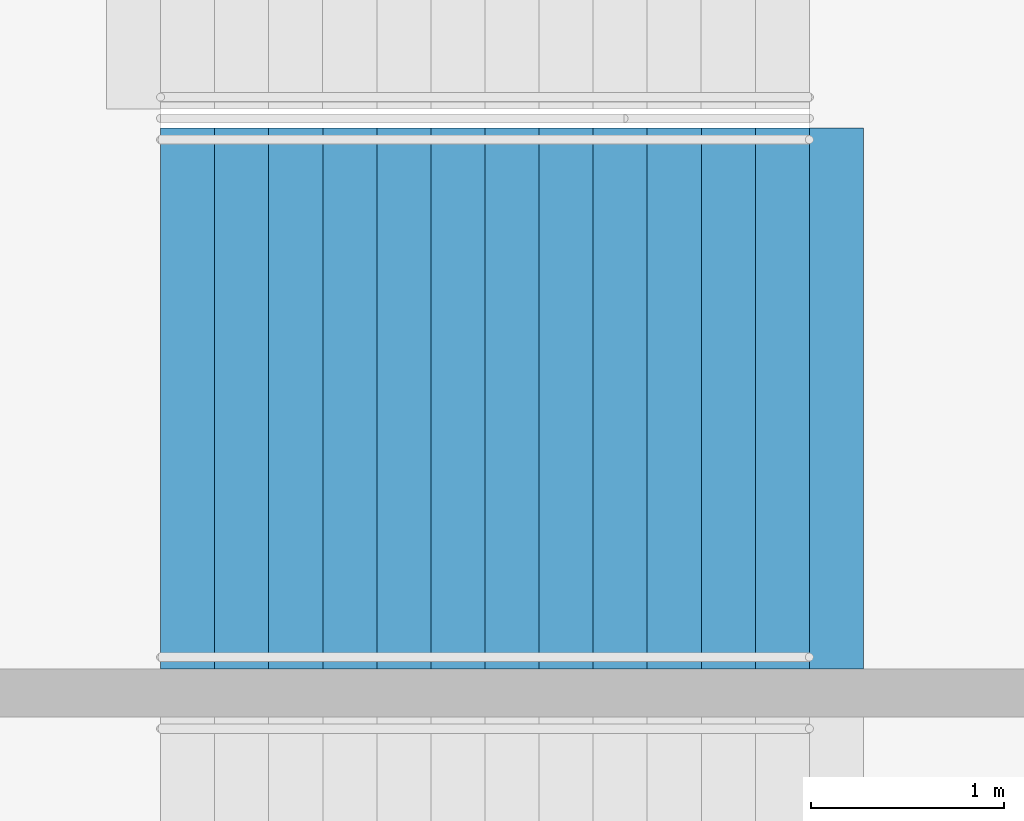
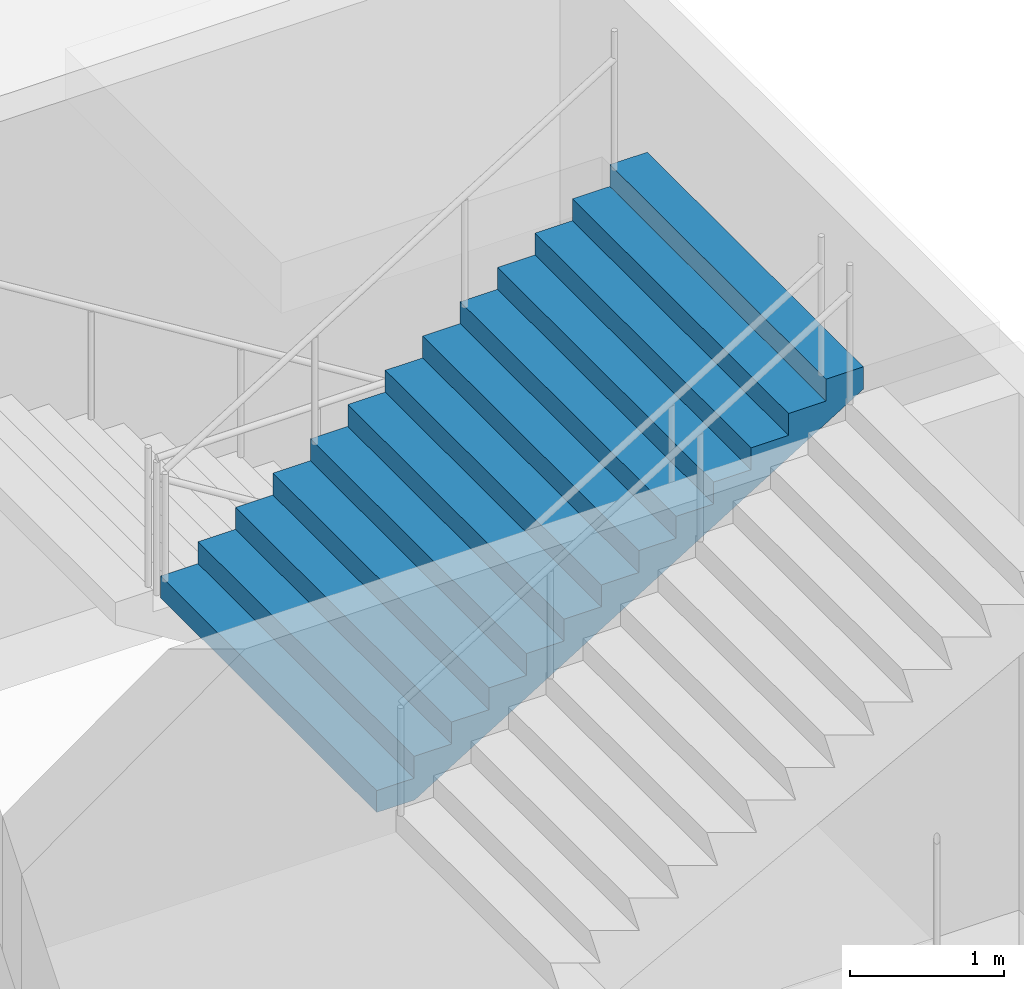
# One storey, part 106 of 177: 1 stair flight, 1 element without a shape of its own.
"""IFC4 building model written with IfcOpenShell, lengths in metres."""

from ifc_helpers import new_model, si_unit, direction, frame, origin, place, context, subcontext, project, spatial, faceted_brep, material, type_object, element, aggregate, save


model = new_model("IFC4")

# Units and contexts
model_context = context("Model", 3, precision=1e-05, world=origin(), true_north=direction((0.0, 1.0)))
body_context = subcontext(model_context, "Body", "Model", "MODEL_VIEW")
ifc_project = project(units=[si_unit("LENGTHUNIT", "METRE"), si_unit("AREAUNIT", "SQUARE_METRE"), si_unit("VOLUMEUNIT", "CUBIC_METRE"), si_unit("PLANEANGLEUNIT", "RADIAN"), si_unit("MASSUNIT", "GRAM", prefix="KILO")], contexts=[model_context])

# Site, building, storey
site_placement = place(None, origin())
site = spatial("IfcSite", under=ifc_project, at=site_placement, CompositionType="ELEMENT")
building_placement = place(site_placement, origin())
building = spatial("IfcBuilding", under=site, at=building_placement, Name="Ogive Plaza Stadium", CompositionType="ELEMENT")
storey_placement = place(building_placement, frame((0.0, 0.0, 18.0)))
storey = spatial("IfcBuildingStorey", under=building, at=storey_placement, Name="L04", CompositionType="ELEMENT", Elevation=18.0)

# Stair, stair flight
ifc_material_1 = material(Name="Concrete C40/50", Category="concrete")
stair_type = type_object("IfcStairType", Name="Exit stair", PredefinedType="STRAIGHT_RUN_STAIR", material=ifc_material_1)
stair_placement = place(storey_placement, origin())
stair = element("IfcStair", 1, at=stair_placement, inside=storey, type_object=stair_type, Name="Exit stair ST22A L04 to L05", PredefinedType="STRAIGHT_RUN_STAIR")
ifc_material_2 = material(Name="Concrete C40/50", Category="concrete")
stair_flight_type = type_object("IfcStairFlightType", Name="Exit stair flight", PredefinedType="STRAIGHT", material=ifc_material_2)
stair_flight_placement = place(storey_placement, frame((-79.7099609375, -35.97509765625, 2.25), z_axis=(0.0, 0.0, 1.0), x_axis=(1.0, 0.0, 0.0)))
stair_flight = element("IfcStairFlight", 2, at=stair_flight_placement, type_object=stair_flight_type, Name="ST22A flight 2", NumberOfRisers=13, NumberOfTreads=12, PredefinedType="STRAIGHT", RiserHeight=0.173076923, TreadLength=0.28, context=body_context, shape_type="Brep", body=[
    faceted_brep([(0.28515625, -1.39990234375, 0.0), (3.639892578125, -1.39990234375, 2.07373046875), (3.639892578125, -1.39990234375, 2.25), (3.360107421875, -1.39990234375, 2.25), (3.360107421875, -1.39990234375, 2.076904296875), (3.080078125, -1.39990234375, 2.076904296875), (3.080078125, -1.39990234375, 1.90380859375), (2.800048828125, -1.39990234375, 1.90380859375), (2.800048828125, -1.39990234375, 1.730712890625), (2.52001953125, -1.39990234375, 1.730712890625), (2.52001953125, -1.39990234375, 1.5576171875), (2.239990234375, -1.39990234375, 1.5576171875), (2.239990234375, -1.39990234375, 1.384521484375), (1.9599609375, -1.39990234375, 1.384521484375), (1.9599609375, -1.39990234375, 1.21142578125), (1.679931640625, -1.39990234375, 1.21142578125), (1.679931640625, -1.39990234375, 1.03857421875), (1.39990234375, -1.39990234375, 1.03857421875), (1.39990234375, -1.39990234375, 0.865478515625), (1.1201171875, -1.39990234375, 0.865478515625), (1.1201171875, -1.39990234375, 0.6923828125), (0.840087890625, -1.39990234375, 0.6923828125), (0.840087890625, -1.39990234375, 0.519287109375), (0.56005859375, -1.39990234375, 0.519287109375), (0.56005859375, -1.39990234375, 0.34619140625), (0.280029296875, -1.39990234375, 0.34619140625), (0.280029296875, -1.39990234375, 0.173095703125), (0.0, -1.39990234375, 0.173095703125), (0.0, -1.39990234375, 0.0), (0.0, 1.39990234375, 0.0), (0.0, 1.39990234375, 0.173095703125), (0.280029296875, 1.39990234375, 0.173095703125), (0.280029296875, 1.39990234375, 0.34619140625), (0.56005859375, 1.39990234375, 0.34619140625), (0.56005859375, 1.39990234375, 0.519287109375), (0.840087890625, 1.39990234375, 0.519287109375), (0.840087890625, 1.39990234375, 0.6923828125), (1.1201171875, 1.39990234375, 0.6923828125), (1.1201171875, 1.39990234375, 0.865478515625), (1.39990234375, 1.39990234375, 0.865478515625), (1.39990234375, 1.39990234375, 1.03857421875), (1.679931640625, 1.39990234375, 1.03857421875), (1.679931640625, 1.39990234375, 1.21142578125), (1.9599609375, 1.39990234375, 1.21142578125), (1.9599609375, 1.39990234375, 1.384521484375), (2.239990234375, 1.39990234375, 1.384521484375), (2.239990234375, 1.39990234375, 1.5576171875), (2.52001953125, 1.39990234375, 1.5576171875), (2.52001953125, 1.39990234375, 1.730712890625), (2.800048828125, 1.39990234375, 1.730712890625), (2.800048828125, 1.39990234375, 1.90380859375), (3.080078125, 1.39990234375, 1.90380859375), (3.080078125, 1.39990234375, 2.076904296875), (3.360107421875, 1.39990234375, 2.076904296875), (3.360107421875, 1.39990234375, 2.25), (3.639892578125, 1.39990234375, 2.25), (3.639892578125, 1.39990234375, 2.07373046875), (0.28515625, 1.39990234375, 0.0), (0.28515625, -1.0888671875, 0.0), (3.639892578125, -1.0888671875, 2.07373046875), (0.28515625, -0.77783203125, 0.0), (3.639892578125, -0.77783203125, 2.07373046875), (0.28515625, -0.466796875, 0.0), (3.639892578125, -0.466796875, 2.07373046875), (0.28515625, -0.155517578125, 0.0), (3.639892578125, -0.155517578125, 2.07373046875), (0.28515625, 0.155517578125, 0.0), (3.639892578125, 0.155517578125, 2.07373046875), (0.28515625, 0.466796875, 0.0), (3.639892578125, 0.466796875, 2.07373046875), (0.28515625, 0.77783203125, 0.0), (3.639892578125, 0.77783203125, 2.07373046875), (0.28515625, 1.0888671875, 0.0), (3.639892578125, 1.0888671875, 2.07373046875), (3.639892578125, -1.0888671875, 2.25), (3.639892578125, -0.77783203125, 2.25), (3.639892578125, -0.466796875, 2.25), (3.639892578125, -0.155517578125, 2.25), (3.639892578125, 0.155517578125, 2.25), (3.639892578125, 0.466796875, 2.25), (3.639892578125, 0.77783203125, 2.25), (3.639892578125, 1.0888671875, 2.25), (3.360107421875, -1.0888671875, 2.25), (3.360107421875, -0.77783203125, 2.25), (3.360107421875, -0.466796875, 2.25), (3.360107421875, -0.155517578125, 2.25), (3.360107421875, 0.155517578125, 2.25), (3.360107421875, 0.466796875, 2.25), (3.360107421875, 0.77783203125, 2.25), (3.360107421875, 1.0888671875, 2.25), (3.360107421875, -1.0888671875, 2.076904296875), (3.360107421875, -0.77783203125, 2.076904296875), (3.360107421875, -0.466796875, 2.076904296875), (3.360107421875, -0.155517578125, 2.076904296875), (3.360107421875, 0.155517578125, 2.076904296875), (3.360107421875, 0.466796875, 2.076904296875), (3.360107421875, 0.77783203125, 2.076904296875), (3.360107421875, 1.0888671875, 2.076904296875), (3.080078125, -1.0888671875, 2.076904296875), (3.080078125, -0.77783203125, 2.076904296875), (3.080078125, -0.466796875, 2.076904296875), (3.080078125, -0.155517578125, 2.076904296875), (3.080078125, 0.155517578125, 2.076904296875), (3.080078125, 0.466796875, 2.076904296875), (3.080078125, 0.77783203125, 2.076904296875), (3.080078125, 1.0888671875, 2.076904296875), (3.080078125, -1.0888671875, 1.90380859375), (3.080078125, -0.77783203125, 1.90380859375), (3.080078125, -0.466796875, 1.90380859375), (3.080078125, -0.155517578125, 1.90380859375), (3.080078125, 0.155517578125, 1.90380859375), (3.080078125, 0.466796875, 1.90380859375), (3.080078125, 0.77783203125, 1.90380859375), (3.080078125, 1.0888671875, 1.90380859375), (2.800048828125, -1.0888671875, 1.90380859375), (2.800048828125, -0.77783203125, 1.90380859375), (2.800048828125, -0.466796875, 1.90380859375), (2.800048828125, -0.155517578125, 1.90380859375), (2.800048828125, 0.155517578125, 1.90380859375), (2.800048828125, 0.466796875, 1.90380859375), (2.800048828125, 0.77783203125, 1.90380859375), (2.800048828125, 1.0888671875, 1.90380859375), (2.800048828125, -1.0888671875, 1.730712890625), (2.800048828125, -0.77783203125, 1.730712890625), (2.800048828125, -0.466796875, 1.730712890625), (2.800048828125, -0.155517578125, 1.730712890625), (2.800048828125, 0.155517578125, 1.730712890625), (2.800048828125, 0.466796875, 1.730712890625), (2.800048828125, 0.77783203125, 1.730712890625), (2.800048828125, 1.0888671875, 1.730712890625), (2.52001953125, -1.0888671875, 1.730712890625), (2.52001953125, -0.77783203125, 1.730712890625), (2.52001953125, -0.466796875, 1.730712890625), (2.52001953125, -0.155517578125, 1.730712890625), (2.52001953125, 0.155517578125, 1.730712890625), (2.52001953125, 0.466796875, 1.730712890625), (2.52001953125, 0.77783203125, 1.730712890625), (2.52001953125, 1.0888671875, 1.730712890625), (2.52001953125, -1.0888671875, 1.5576171875), (2.52001953125, -0.77783203125, 1.5576171875), (2.52001953125, -0.466796875, 1.5576171875), (2.52001953125, -0.155517578125, 1.5576171875), (2.52001953125, 0.155517578125, 1.5576171875), (2.52001953125, 0.466796875, 1.5576171875), (2.52001953125, 0.77783203125, 1.5576171875), (2.52001953125, 1.0888671875, 1.5576171875), (2.239990234375, -1.0888671875, 1.5576171875), (2.239990234375, -0.77783203125, 1.5576171875), (2.239990234375, -0.466796875, 1.5576171875), (2.239990234375, -0.155517578125, 1.5576171875), (2.239990234375, 0.155517578125, 1.5576171875), (2.239990234375, 0.466796875, 1.5576171875), (2.239990234375, 0.77783203125, 1.5576171875), (2.239990234375, 1.0888671875, 1.5576171875), (2.239990234375, -1.0888671875, 1.384521484375), (2.239990234375, -0.77783203125, 1.384521484375), (2.239990234375, -0.466796875, 1.384521484375), (2.239990234375, -0.155517578125, 1.384521484375), (2.239990234375, 0.155517578125, 1.384521484375), (2.239990234375, 0.466796875, 1.384521484375), (2.239990234375, 0.77783203125, 1.384521484375), (2.239990234375, 1.0888671875, 1.384521484375), (1.9599609375, -1.0888671875, 1.384521484375), (1.9599609375, -0.77783203125, 1.384521484375), (1.9599609375, -0.466796875, 1.384521484375), (1.9599609375, -0.155517578125, 1.384521484375), (1.9599609375, 0.155517578125, 1.384521484375), (1.9599609375, 0.466796875, 1.384521484375), (1.9599609375, 0.77783203125, 1.384521484375), (1.9599609375, 1.0888671875, 1.384521484375), (1.9599609375, -1.0888671875, 1.21142578125), (1.9599609375, -0.77783203125, 1.21142578125), (1.9599609375, -0.466796875, 1.21142578125), (1.9599609375, -0.155517578125, 1.21142578125), (1.9599609375, 0.155517578125, 1.21142578125), (1.9599609375, 0.466796875, 1.21142578125), (1.9599609375, 0.77783203125, 1.21142578125), (1.9599609375, 1.0888671875, 1.21142578125), (1.679931640625, -1.0888671875, 1.21142578125), (1.679931640625, -0.77783203125, 1.21142578125), (1.679931640625, -0.466796875, 1.21142578125), (1.679931640625, -0.155517578125, 1.21142578125), (1.679931640625, 0.155517578125, 1.21142578125), (1.679931640625, 0.466796875, 1.21142578125), (1.679931640625, 0.77783203125, 1.21142578125), (1.679931640625, 1.0888671875, 1.21142578125), (1.679931640625, -1.0888671875, 1.03857421875), (1.679931640625, -0.77783203125, 1.03857421875), (1.679931640625, -0.466796875, 1.03857421875), (1.679931640625, -0.155517578125, 1.03857421875), (1.679931640625, 0.155517578125, 1.03857421875), (1.679931640625, 0.466796875, 1.03857421875), (1.679931640625, 0.77783203125, 1.03857421875), (1.679931640625, 1.0888671875, 1.03857421875), (1.39990234375, -1.0888671875, 1.03857421875), (1.39990234375, -0.77783203125, 1.03857421875), (1.39990234375, -0.466796875, 1.03857421875), (1.39990234375, -0.155517578125, 1.03857421875), (1.39990234375, 0.155517578125, 1.03857421875), (1.39990234375, 0.466796875, 1.03857421875), (1.39990234375, 0.77783203125, 1.03857421875), (1.39990234375, 1.0888671875, 1.03857421875), (1.39990234375, -1.0888671875, 0.865478515625), (1.39990234375, -0.77783203125, 0.865478515625), (1.39990234375, -0.466796875, 0.865478515625), (1.39990234375, -0.155517578125, 0.865478515625), (1.39990234375, 0.155517578125, 0.865478515625), (1.39990234375, 0.466796875, 0.865478515625), (1.39990234375, 0.77783203125, 0.865478515625), (1.39990234375, 1.0888671875, 0.865478515625), (1.1201171875, -1.0888671875, 0.865478515625), (1.1201171875, -0.77783203125, 0.865478515625), (1.1201171875, -0.466796875, 0.865478515625), (1.1201171875, -0.155517578125, 0.865478515625), (1.1201171875, 0.155517578125, 0.865478515625), (1.1201171875, 0.466796875, 0.865478515625), (1.1201171875, 0.77783203125, 0.865478515625), (1.1201171875, 1.0888671875, 0.865478515625), (1.1201171875, -1.0888671875, 0.6923828125), (1.1201171875, -0.77783203125, 0.6923828125), (1.1201171875, -0.466796875, 0.6923828125), (1.1201171875, -0.155517578125, 0.6923828125), (1.1201171875, 0.155517578125, 0.6923828125), (1.1201171875, 0.466796875, 0.6923828125), (1.1201171875, 0.77783203125, 0.6923828125), (1.1201171875, 1.0888671875, 0.6923828125), (0.840087890625, -1.0888671875, 0.6923828125), (0.840087890625, -0.77783203125, 0.6923828125), (0.840087890625, -0.466796875, 0.6923828125), (0.840087890625, -0.155517578125, 0.6923828125), (0.840087890625, 0.155517578125, 0.6923828125), (0.840087890625, 0.466796875, 0.6923828125), (0.840087890625, 0.77783203125, 0.6923828125), (0.840087890625, 1.0888671875, 0.6923828125), (0.840087890625, -1.0888671875, 0.519287109375), (0.840087890625, -0.77783203125, 0.519287109375), (0.840087890625, -0.466796875, 0.519287109375), (0.840087890625, -0.155517578125, 0.519287109375), (0.840087890625, 0.155517578125, 0.519287109375), (0.840087890625, 0.466796875, 0.519287109375), (0.840087890625, 0.77783203125, 0.519287109375), (0.840087890625, 1.0888671875, 0.519287109375), (0.56005859375, -1.0888671875, 0.519287109375), (0.56005859375, -0.77783203125, 0.519287109375), (0.56005859375, -0.466796875, 0.519287109375), (0.56005859375, -0.155517578125, 0.519287109375), (0.56005859375, 0.155517578125, 0.519287109375), (0.56005859375, 0.466796875, 0.519287109375), (0.56005859375, 0.77783203125, 0.519287109375), (0.56005859375, 1.0888671875, 0.519287109375), (0.56005859375, -1.0888671875, 0.34619140625), (0.56005859375, -0.77783203125, 0.34619140625), (0.56005859375, -0.466796875, 0.34619140625), (0.56005859375, -0.155517578125, 0.34619140625), (0.56005859375, 0.155517578125, 0.34619140625), (0.56005859375, 0.466796875, 0.34619140625), (0.56005859375, 0.77783203125, 0.34619140625), (0.56005859375, 1.0888671875, 0.34619140625), (0.280029296875, -1.0888671875, 0.34619140625), (0.280029296875, -0.77783203125, 0.34619140625), (0.280029296875, -0.466796875, 0.34619140625), (0.280029296875, -0.155517578125, 0.34619140625), (0.280029296875, 0.155517578125, 0.34619140625), (0.280029296875, 0.466796875, 0.34619140625), (0.280029296875, 0.77783203125, 0.34619140625), (0.280029296875, 1.0888671875, 0.34619140625), (0.280029296875, -1.0888671875, 0.173095703125), (0.280029296875, -0.77783203125, 0.173095703125), (0.280029296875, -0.466796875, 0.173095703125), (0.280029296875, -0.155517578125, 0.173095703125), (0.280029296875, 0.155517578125, 0.173095703125), (0.280029296875, 0.466796875, 0.173095703125), (0.280029296875, 0.77783203125, 0.173095703125), (0.280029296875, 1.0888671875, 0.173095703125), (0.0, -1.0888671875, 0.173095703125), (0.0, -0.77783203125, 0.173095703125), (0.0, -0.466796875, 0.173095703125), (0.0, -0.155517578125, 0.173095703125), (0.0, 0.155517578125, 0.173095703125), (0.0, 0.466796875, 0.173095703125), (0.0, 0.77783203125, 0.173095703125), (0.0, 1.0888671875, 0.173095703125), (0.0, -1.0888671875, 0.0), (0.0, -0.77783203125, 0.0), (0.0, -0.466796875, 0.0), (0.0, -0.155517578125, 0.0), (0.0, 0.155517578125, 0.0), (0.0, 0.466796875, 0.0), (0.0, 0.77783203125, 0.0), (0.0, 1.0888671875, 0.0)], [[[0, 1, 2, 3, 4, 5, 6, 7, 8, 9, 10, 11, 12, 13, 14, 15, 16, 17, 18, 19, 20, 21, 22, 23, 24, 25, 26, 27, 28]], [[29, 30, 31, 32, 33, 34, 35, 36, 37, 38, 39, 40, 41, 42, 43, 44, 45, 46, 47, 48, 49, 50, 51, 52, 53, 54, 55, 56, 57]], [[0, 58, 59, 1]], [[58, 60, 61, 59]], [[60, 62, 63, 61]], [[62, 64, 65, 63]], [[64, 66, 67, 65]], [[66, 68, 69, 67]], [[68, 70, 71, 69]], [[70, 72, 73, 71]], [[72, 57, 56, 73]], [[1, 59, 74, 2]], [[59, 61, 75, 74]], [[61, 63, 76, 75]], [[63, 65, 77, 76]], [[65, 67, 78, 77]], [[67, 69, 79, 78]], [[69, 71, 80, 79]], [[71, 73, 81, 80]], [[73, 56, 55, 81]], [[2, 74, 82, 3]], [[74, 75, 83, 82]], [[75, 76, 84, 83]], [[76, 77, 85, 84]], [[77, 78, 86, 85]], [[78, 79, 87, 86]], [[79, 80, 88, 87]], [[80, 81, 89, 88]], [[81, 55, 54, 89]], [[3, 82, 90, 4]], [[82, 83, 91, 90]], [[83, 84, 92, 91]], [[84, 85, 93, 92]], [[85, 86, 94, 93]], [[86, 87, 95, 94]], [[87, 88, 96, 95]], [[88, 89, 97, 96]], [[89, 54, 53, 97]], [[4, 90, 98, 5]], [[90, 91, 99, 98]], [[91, 92, 100, 99]], [[92, 93, 101, 100]], [[93, 94, 102, 101]], [[94, 95, 103, 102]], [[95, 96, 104, 103]], [[96, 97, 105, 104]], [[97, 53, 52, 105]], [[5, 98, 106, 6]], [[98, 99, 107, 106]], [[99, 100, 108, 107]], [[100, 101, 109, 108]], [[101, 102, 110, 109]], [[102, 103, 111, 110]], [[103, 104, 112, 111]], [[104, 105, 113, 112]], [[105, 52, 51, 113]], [[6, 106, 114, 7]], [[106, 107, 115, 114]], [[107, 108, 116, 115]], [[108, 109, 117, 116]], [[109, 110, 118, 117]], [[110, 111, 119, 118]], [[111, 112, 120, 119]], [[112, 113, 121, 120]], [[113, 51, 50, 121]], [[7, 114, 122, 8]], [[114, 115, 123, 122]], [[115, 116, 124, 123]], [[116, 117, 125, 124]], [[117, 118, 126, 125]], [[118, 119, 127, 126]], [[119, 120, 128, 127]], [[120, 121, 129, 128]], [[121, 50, 49, 129]], [[8, 122, 130, 9]], [[122, 123, 131, 130]], [[123, 124, 132, 131]], [[124, 125, 133, 132]], [[125, 126, 134, 133]], [[126, 127, 135, 134]], [[127, 128, 136, 135]], [[128, 129, 137, 136]], [[129, 49, 48, 137]], [[9, 130, 138, 10]], [[130, 131, 139, 138]], [[131, 132, 140, 139]], [[132, 133, 141, 140]], [[133, 134, 142, 141]], [[134, 135, 143, 142]], [[135, 136, 144, 143]], [[136, 137, 145, 144]], [[137, 48, 47, 145]], [[10, 138, 146, 11]], [[138, 139, 147, 146]], [[139, 140, 148, 147]], [[140, 141, 149, 148]], [[141, 142, 150, 149]], [[142, 143, 151, 150]], [[143, 144, 152, 151]], [[144, 145, 153, 152]], [[145, 47, 46, 153]], [[11, 146, 154, 12]], [[146, 147, 155, 154]], [[147, 148, 156, 155]], [[148, 149, 157, 156]], [[149, 150, 158, 157]], [[150, 151, 159, 158]], [[151, 152, 160, 159]], [[152, 153, 161, 160]], [[153, 46, 45, 161]], [[12, 154, 162, 13]], [[154, 155, 163, 162]], [[155, 156, 164, 163]], [[156, 157, 165, 164]], [[157, 158, 166, 165]], [[158, 159, 167, 166]], [[159, 160, 168, 167]], [[160, 161, 169, 168]], [[161, 45, 44, 169]], [[13, 162, 170, 14]], [[162, 163, 171, 170]], [[163, 164, 172, 171]], [[164, 165, 173, 172]], [[165, 166, 174, 173]], [[166, 167, 175, 174]], [[167, 168, 176, 175]], [[168, 169, 177, 176]], [[169, 44, 43, 177]], [[14, 170, 178, 15]], [[170, 171, 179, 178]], [[171, 172, 180, 179]], [[172, 173, 181, 180]], [[173, 174, 182, 181]], [[174, 175, 183, 182]], [[175, 176, 184, 183]], [[176, 177, 185, 184]], [[177, 43, 42, 185]], [[15, 178, 186, 16]], [[178, 179, 187, 186]], [[179, 180, 188, 187]], [[180, 181, 189, 188]], [[181, 182, 190, 189]], [[182, 183, 191, 190]], [[183, 184, 192, 191]], [[184, 185, 193, 192]], [[185, 42, 41, 193]], [[16, 186, 194, 17]], [[186, 187, 195, 194]], [[187, 188, 196, 195]], [[188, 189, 197, 196]], [[189, 190, 198, 197]], [[190, 191, 199, 198]], [[191, 192, 200, 199]], [[192, 193, 201, 200]], [[193, 41, 40, 201]], [[17, 194, 202, 18]], [[194, 195, 203, 202]], [[195, 196, 204, 203]], [[196, 197, 205, 204]], [[197, 198, 206, 205]], [[198, 199, 207, 206]], [[199, 200, 208, 207]], [[200, 201, 209, 208]], [[201, 40, 39, 209]], [[18, 202, 210, 19]], [[202, 203, 211, 210]], [[203, 204, 212, 211]], [[204, 205, 213, 212]], [[205, 206, 214, 213]], [[206, 207, 215, 214]], [[207, 208, 216, 215]], [[208, 209, 217, 216]], [[209, 39, 38, 217]], [[19, 210, 218, 20]], [[210, 211, 219, 218]], [[211, 212, 220, 219]], [[212, 213, 221, 220]], [[213, 214, 222, 221]], [[214, 215, 223, 222]], [[215, 216, 224, 223]], [[216, 217, 225, 224]], [[217, 38, 37, 225]], [[20, 218, 226, 21]], [[218, 219, 227, 226]], [[219, 220, 228, 227]], [[220, 221, 229, 228]], [[221, 222, 230, 229]], [[222, 223, 231, 230]], [[223, 224, 232, 231]], [[224, 225, 233, 232]], [[225, 37, 36, 233]], [[21, 226, 234, 22]], [[226, 227, 235, 234]], [[227, 228, 236, 235]], [[228, 229, 237, 236]], [[229, 230, 238, 237]], [[230, 231, 239, 238]], [[231, 232, 240, 239]], [[232, 233, 241, 240]], [[233, 36, 35, 241]], [[22, 234, 242, 23]], [[234, 235, 243, 242]], [[235, 236, 244, 243]], [[236, 237, 245, 244]], [[237, 238, 246, 245]], [[238, 239, 247, 246]], [[239, 240, 248, 247]], [[240, 241, 249, 248]], [[241, 35, 34, 249]], [[23, 242, 250, 24]], [[242, 243, 251, 250]], [[243, 244, 252, 251]], [[244, 245, 253, 252]], [[245, 246, 254, 253]], [[246, 247, 255, 254]], [[247, 248, 256, 255]], [[248, 249, 257, 256]], [[249, 34, 33, 257]], [[24, 250, 258, 25]], [[250, 251, 259, 258]], [[251, 252, 260, 259]], [[252, 253, 261, 260]], [[253, 254, 262, 261]], [[254, 255, 263, 262]], [[255, 256, 264, 263]], [[256, 257, 265, 264]], [[257, 33, 32, 265]], [[25, 258, 266, 26]], [[258, 259, 267, 266]], [[259, 260, 268, 267]], [[260, 261, 269, 268]], [[261, 262, 270, 269]], [[262, 263, 271, 270]], [[263, 264, 272, 271]], [[264, 265, 273, 272]], [[265, 32, 31, 273]], [[26, 266, 274, 27]], [[266, 267, 275, 274]], [[267, 268, 276, 275]], [[268, 269, 277, 276]], [[269, 270, 278, 277]], [[270, 271, 279, 278]], [[271, 272, 280, 279]], [[272, 273, 281, 280]], [[273, 31, 30, 281]], [[27, 274, 282, 28]], [[274, 275, 283, 282]], [[275, 276, 284, 283]], [[276, 277, 285, 284]], [[277, 278, 286, 285]], [[278, 279, 287, 286]], [[279, 280, 288, 287]], [[280, 281, 289, 288]], [[281, 30, 29, 289]], [[28, 282, 58, 0]], [[282, 283, 60, 58]], [[283, 284, 62, 60]], [[284, 285, 64, 62]], [[285, 286, 66, 64]], [[286, 287, 68, 66]], [[287, 288, 70, 68]], [[288, 289, 72, 70]], [[289, 29, 57, 72]]]),
])
aggregate(stair, [stair_flight])

save(model, "model.ifc")
